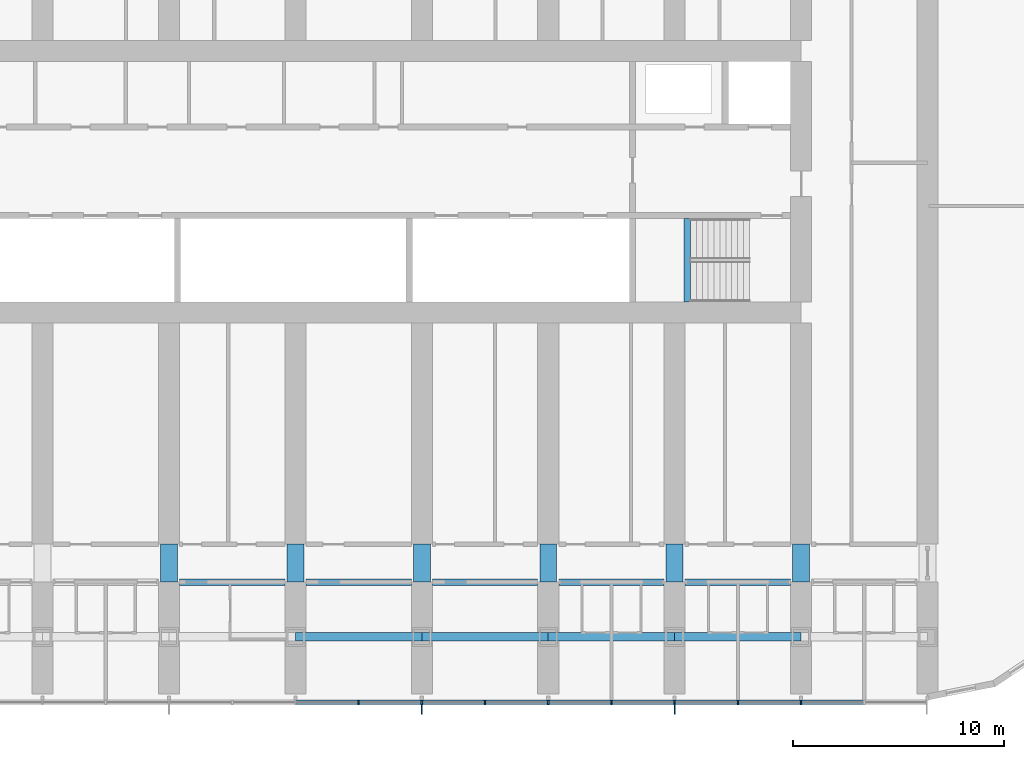
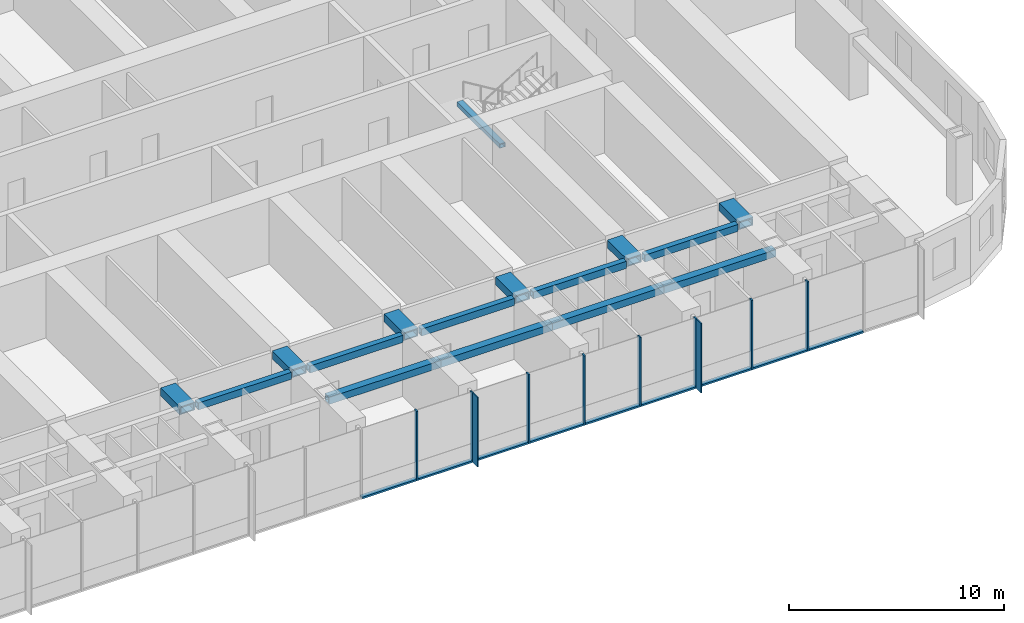
# One storey, part 5 of 28: 19 members, 16 beams, 1 element without a shape of its own.
"""IFC4 building model written with IfcOpenShell, lengths in metres."""

from ifc_helpers import new_model, si_unit, direction, frame, origin, origin_2d, place, context, subcontext, project, spatial, rectangle, hollow_rectangle, extrude, material, material_profile, profile_set, type_object, element, aggregate, save


model = new_model("IFC4")

# Units and contexts
model_context = context("Model", 3, precision=1e-05, world=origin(), true_north=direction((0.0, 1.0)))
body_context = subcontext(model_context, "Body", "Model", "MODEL_VIEW")
ifc_project = project(units=[si_unit("LENGTHUNIT", "METRE"), si_unit("AREAUNIT", "SQUARE_METRE"), si_unit("VOLUMEUNIT", "CUBIC_METRE"), si_unit("PLANEANGLEUNIT", "RADIAN"), si_unit("MASSUNIT", "GRAM", prefix="KILO")], contexts=[model_context])

# Site, building, storey
site_placement = place(None, origin())
site = spatial("IfcSite", under=ifc_project, at=site_placement, CompositionType="ELEMENT")
building_placement = place(site_placement, origin())
building = spatial("IfcBuilding", under=site, at=building_placement, Name="Orbita Commons", CompositionType="ELEMENT")
storey_placement = place(building_placement, frame((0.0, 0.0, 38.949951171875)))
storey = spatial("IfcBuildingStorey", under=building, at=storey_placement, Name="L09", CompositionType="ELEMENT", Elevation=38.949951171875)

# Curtain wall, members
ifc_material_1 = material(Name="Anodised aluminium frame, pale silver", Category="aluminium")
curtain_wall_type = type_object("IfcCurtainWallType", Name="Unitised curtain wall CW-T, vision and spandrel", PredefinedType="NOTDEFINED", material=ifc_material_1)
curtain_wall_placement = place(storey_placement, origin())
curtain_wall = element("IfcCurtainWall", 1, at=curtain_wall_placement, inside=storey, type_object=curtain_wall_type, Name="Curtain wall south L09", PredefinedType="NOTDEFINED")
ifc_material_2 = material(Name="Anodised aluminium, pale silver", Category="aluminium")
ifc_material_profile_1 = material_profile(ifc_material_2, rectangle(XDim=0.080078125, YDim=0.219970703125, at=origin_2d()), Name="AL 80x220")
ifc_profile_set_1 = profile_set([ifc_material_profile_1], Name="Anodised aluminium, pale silver")
member_type_1 = type_object("IfcMemberType", Name="Curtain wall mullion 80x220", PredefinedType="MULLION", material=ifc_profile_set_1)
member_1_placement = place(storey_placement, frame((45.0, 7.2900390625, -0.449951171875), z_axis=(0.0, 0.0, 1.0), x_axis=(1.0, 0.0, 0.0)))
member_1 = element("IfcMember", 2, at=member_1_placement, type_object=member_type_1, Name="Mullion 12 CW-L09-S", PredefinedType="MULLION", context=body_context, shape_type="SweptSolid", body=[
    extrude(rectangle(XDim=0.080078125, YDim=0.219970703125, at=origin_2d()), origin(), (0.0, 0.0, 1.0), 3.949951171875),
])
member_2_placement = place(storey_placement, frame((48.0, 7.2900390625, -0.449951171875), z_axis=(0.0, 0.0, 1.0), x_axis=(1.0, 0.0, 0.0)))
member_2 = element("IfcMember", 3, at=member_2_placement, type_object=member_type_1, Name="Mullion 13 CW-L09-S", PredefinedType="MULLION", context=body_context, shape_type="SweptSolid", body=[
    extrude(rectangle(XDim=0.080078125, YDim=0.219970703125, at=origin_2d()), origin(), (0.0, 0.0, 1.0), 3.949951171875),
])
member_3_placement = place(storey_placement, frame((51.0, 7.2900390625, -0.449951171875), z_axis=(0.0, 0.0, 1.0), x_axis=(1.0, 0.0, 0.0)))
member_3 = element("IfcMember", 4, at=member_3_placement, type_object=member_type_1, Name="Mullion 14 CW-L09-S", PredefinedType="MULLION", context=body_context, shape_type="SweptSolid", body=[
    extrude(rectangle(XDim=0.080078125, YDim=0.219970703125, at=origin_2d()), origin(), (0.0, 0.0, 1.0), 3.949951171875),
])
member_4_placement = place(storey_placement, frame((54.0, 7.2900390625, -0.449951171875), z_axis=(0.0, 0.0, 1.0), x_axis=(1.0, 0.0, 0.0)))
member_4 = element("IfcMember", 5, at=member_4_placement, type_object=member_type_1, Name="Mullion 15 CW-L09-S", PredefinedType="MULLION", context=body_context, shape_type="SweptSolid", body=[
    extrude(rectangle(XDim=0.080078125, YDim=0.219970703125, at=origin_2d()), origin(), (0.0, 0.0, 1.0), 3.949951171875),
])
member_5_placement = place(storey_placement, frame((57.0, 7.2900390625, -0.449951171875), z_axis=(0.0, 0.0, 1.0), x_axis=(1.0, 0.0, 0.0)))
member_5 = element("IfcMember", 6, at=member_5_placement, type_object=member_type_1, Name="Mullion 16 CW-L09-S", PredefinedType="MULLION", context=body_context, shape_type="SweptSolid", body=[
    extrude(rectangle(XDim=0.080078125, YDim=0.219970703125, at=origin_2d()), origin(), (0.0, 0.0, 1.0), 3.949951171875),
])
member_6_placement = place(storey_placement, frame((60.0, 7.2900390625, -0.449951171875), z_axis=(0.0, 0.0, 1.0), x_axis=(1.0, 0.0, 0.0)))
member_6 = element("IfcMember", 7, at=member_6_placement, type_object=member_type_1, Name="Mullion 17 CW-L09-S", PredefinedType="MULLION", context=body_context, shape_type="SweptSolid", body=[
    extrude(rectangle(XDim=0.080078125, YDim=0.219970703125, at=origin_2d()), origin(), (0.0, 0.0, 1.0), 3.949951171875),
])
member_7_placement = place(storey_placement, frame((63.0, 7.2900390625, -0.449951171875), z_axis=(0.0, 0.0, 1.0), x_axis=(1.0, 0.0, 0.0)))
member_7 = element("IfcMember", 8, at=member_7_placement, type_object=member_type_1, Name="Mullion 18 CW-L09-S", PredefinedType="MULLION", context=body_context, shape_type="SweptSolid", body=[
    extrude(rectangle(XDim=0.080078125, YDim=0.219970703125, at=origin_2d()), origin(), (0.0, 0.0, 1.0), 3.949951171875),
])
member_8_placement = place(storey_placement, frame((66.0, 7.2900390625, -0.449951171875), z_axis=(0.0, 0.0, 1.0), x_axis=(1.0, 0.0, 0.0)))
member_8 = element("IfcMember", 9, at=member_8_placement, type_object=member_type_1, Name="Mullion 19 CW-L09-S", PredefinedType="MULLION", context=body_context, shape_type="SweptSolid", body=[
    extrude(rectangle(XDim=0.080078125, YDim=0.219970703125, at=origin_2d()), origin(), (0.0, 0.0, 1.0), 3.949951171875),
])
ifc_material_3 = material(Name="Anodised aluminium, pale silver", Category="aluminium")
ifc_material_profile_2 = material_profile(ifc_material_3, rectangle(XDim=0.219970703125, YDim=0.10009765625, at=origin_2d()), Name="AL 220x100")
ifc_profile_set_2 = profile_set([ifc_material_profile_2], Name="Anodised aluminium, pale silver")
member_type_2 = type_object("IfcMemberType", Name="Curtain wall stack transom 220x100", PredefinedType="USERDEFINED", material=ifc_profile_set_2)
member_9_placement = place(storey_placement, frame((42.0400390625, 7.2900390625, -0.39990234375), z_axis=(1.0, 0.0, 0.0), x_axis=(0.0, 1.0, 0.0)))
member_9 = element("IfcMember", 10, at=member_9_placement, type_object=member_type_2, Name="Transom 11.1 CW-L09-S", ObjectType="TRANSOM", PredefinedType="USERDEFINED", context=body_context, shape_type="SweptSolid", body=[
    extrude(rectangle(XDim=0.219970703125, YDim=0.10009765625, at=origin_2d()), origin(), (0.0, 0.0, 1.0), 2.919921875),
])
member_10_placement = place(storey_placement, frame((45.0400390625, 7.2900390625, -0.39990234375), z_axis=(1.0, 0.0, 0.0), x_axis=(0.0, 1.0, 0.0)))
member_10 = element("IfcMember", 11, at=member_10_placement, type_object=member_type_2, Name="Transom 12.1 CW-L09-S", ObjectType="TRANSOM", PredefinedType="USERDEFINED", context=body_context, shape_type="SweptSolid", body=[
    extrude(rectangle(XDim=0.219970703125, YDim=0.10009765625, at=origin_2d()), origin(), (0.0, 0.0, 1.0), 2.919921875),
])
member_11_placement = place(storey_placement, frame((48.0400390625, 7.2900390625, -0.39990234375), z_axis=(1.0, 0.0, 0.0), x_axis=(0.0, 1.0, 0.0)))
member_11 = element("IfcMember", 12, at=member_11_placement, type_object=member_type_2, Name="Transom 13.1 CW-L09-S", ObjectType="TRANSOM", PredefinedType="USERDEFINED", context=body_context, shape_type="SweptSolid", body=[
    extrude(rectangle(XDim=0.219970703125, YDim=0.10009765625, at=origin_2d()), origin(), (0.0, 0.0, 1.0), 2.919921875),
])
member_12_placement = place(storey_placement, frame((51.0400390625, 7.2900390625, -0.39990234375), z_axis=(1.0, 0.0, 0.0), x_axis=(0.0, 1.0, 0.0)))
member_12 = element("IfcMember", 13, at=member_12_placement, type_object=member_type_2, Name="Transom 14.1 CW-L09-S", ObjectType="TRANSOM", PredefinedType="USERDEFINED", context=body_context, shape_type="SweptSolid", body=[
    extrude(rectangle(XDim=0.219970703125, YDim=0.10009765625, at=origin_2d()), origin(), (0.0, 0.0, 1.0), 2.919921875),
])
member_13_placement = place(storey_placement, frame((54.0400390625, 7.2900390625, -0.39990234375), z_axis=(1.0, 0.0, 0.0), x_axis=(0.0, 1.0, 0.0)))
member_13 = element("IfcMember", 14, at=member_13_placement, type_object=member_type_2, Name="Transom 15.1 CW-L09-S", ObjectType="TRANSOM", PredefinedType="USERDEFINED", context=body_context, shape_type="SweptSolid", body=[
    extrude(rectangle(XDim=0.219970703125, YDim=0.10009765625, at=origin_2d()), origin(), (0.0, 0.0, 1.0), 2.919921875),
])
member_14_placement = place(storey_placement, frame((57.0400390625, 7.2900390625, -0.39990234375), z_axis=(1.0, 0.0, 0.0), x_axis=(0.0, 1.0, 0.0)))
member_14 = element("IfcMember", 15, at=member_14_placement, type_object=member_type_2, Name="Transom 16.1 CW-L09-S", ObjectType="TRANSOM", PredefinedType="USERDEFINED", context=body_context, shape_type="SweptSolid", body=[
    extrude(rectangle(XDim=0.219970703125, YDim=0.10009765625, at=origin_2d()), origin(), (0.0, 0.0, 1.0), 2.919921875),
])
member_15_placement = place(storey_placement, frame((60.0400390625, 7.2900390625, -0.39990234375), z_axis=(1.0, 0.0, 0.0), x_axis=(0.0, 1.0, 0.0)))
member_15 = element("IfcMember", 16, at=member_15_placement, type_object=member_type_2, Name="Transom 17.1 CW-L09-S", ObjectType="TRANSOM", PredefinedType="USERDEFINED", context=body_context, shape_type="SweptSolid", body=[
    extrude(rectangle(XDim=0.219970703125, YDim=0.10009765625, at=origin_2d()), origin(), (0.0, 0.0, 1.0), 2.919921875),
])
member_16_placement = place(storey_placement, frame((63.0400390625, 7.2900390625, -0.39990234375), z_axis=(1.0, 0.0, 0.0), x_axis=(0.0, 1.0, 0.0)))
member_16 = element("IfcMember", 17, at=member_16_placement, type_object=member_type_2, Name="Transom 18.1 CW-L09-S", ObjectType="TRANSOM", PredefinedType="USERDEFINED", context=body_context, shape_type="SweptSolid", body=[
    extrude(rectangle(XDim=0.219970703125, YDim=0.10009765625, at=origin_2d()), origin(), (0.0, 0.0, 1.0), 2.919921875),
])
member_17_placement = place(storey_placement, frame((66.0400390625, 7.2900390625, -0.39990234375), z_axis=(1.0, 0.0, 0.0), x_axis=(0.0, 1.0, 0.0)))
member_17 = element("IfcMember", 18, at=member_17_placement, type_object=member_type_2, Name="Transom 19.1 CW-L09-S", ObjectType="TRANSOM", PredefinedType="USERDEFINED", context=body_context, shape_type="SweptSolid", body=[
    extrude(rectangle(XDim=0.219970703125, YDim=0.10009765625, at=origin_2d()), origin(), (0.0, 0.0, 1.0), 2.919921875),
])

# Beams
ifc_material_4 = material(Name="Steel ASTM A572 Gr 50 welded plate", Category="steel")
ifc_material_profile_3 = material_profile(ifc_material_4, hollow_rectangle(XDim=0.300048828125, YDim=0.25, WallThickness=0.02490234375, at=origin_2d()), Name="BOX 250x300x25")
ifc_profile_set_3 = profile_set([ifc_material_profile_3], Name="Steel ASTM A572 Gr 50 welded plate")
beam_type_1 = type_object("IfcBeamType", Name="Stair landing beam steel BOX 250x300x25", PredefinedType="BEAM", material=ifc_profile_set_3)
beam_placement = place(storey_placement, frame((60.60009765625, 26.284912109375, 1.550048828125), z_axis=(0.0, 1.0, 0.0), x_axis=(-1.0, 0.0, 0.0)))
element("IfcBeam", 19, at=beam_placement, inside=storey, type_object=beam_type_1, Name="Stair S2 landing beam L09 1", PredefinedType="BEAM", context=body_context, shape_type="SweptSolid", body=[
    extrude(hollow_rectangle(XDim=0.300048828125, YDim=0.25, WallThickness=0.02490234375, at=origin_2d()), origin(), (0.0, 0.0, 1.0), 3.97998046875),
])
ifc_material_5 = material(Name="Steel ASTM A572 Gr 50 welded plate", Category="steel")
ifc_material_profile_4 = material_profile(ifc_material_5, hollow_rectangle(XDim=0.300048828125, YDim=0.39990234375, WallThickness=0.0400390625, at=origin_2d()), Name="BOX 400x300x40")
ifc_profile_set_4 = profile_set([ifc_material_profile_4], Name="Steel ASTM A572 Gr 50 welded plate")
beam_type_2 = type_object("IfcBeamType", Name="Steel corridor link BOX 400x300x40", PredefinedType="BEAM", material=ifc_profile_set_4)
for number, where, z_axis, x_axis, name in (
    (20, (36.5, 13.0, 3.300048828125), (1.0, 0.0, 0.0), (0.0, 1.0, 0.0), "Corridor beam SA 7-8 L09"),
    (21, (42.5, 13.0, 3.300048828125), (1.0, 0.0, 0.0), (0.0, 1.0, 0.0), "Corridor beam SA 8-9 L09"),
    (22, (48.5, 13.0, 3.300048828125), (1.0, 0.0, 0.0), (0.0, 1.0, 0.0), "Corridor beam SA 9-10 L09"),
    (23, (54.5, 13.0, 3.300048828125), (1.0, 0.0, 0.0), (0.0, 1.0, 0.0), "Corridor beam SA 10-11 L09"),
    (24, (60.5, 13.0, 3.300048828125), (1.0, 0.0, 0.0), (0.0, 1.0, 0.0), "Corridor beam SA 11-12 L09"),
):
    element("IfcBeam", number, at=place(storey_placement, frame(where, z_axis=z_axis, x_axis=x_axis)), inside=storey, type_object=beam_type_2, Name=name, PredefinedType="BEAM", context=body_context, shape_type="SweptSolid", body=[
        extrude(hollow_rectangle(XDim=0.300048828125, YDim=0.39990234375, WallThickness=0.0400390625, at=origin_2d()), origin(), (0.0, 0.0, 1.0), 5.0),
    ])
ifc_material_6 = material(Name="Steel ASTM A572 Gr 50 welded plate", Category="steel")
ifc_material_profile_5 = material_profile(ifc_material_6, hollow_rectangle(XDim=0.800048828125, YDim=0.449951171875, WallThickness=0.06005859375, at=origin_2d()), Name="BOX 450x800x60")
ifc_profile_set_5 = profile_set([ifc_material_profile_5], Name="Steel ASTM A572 Gr 50 welded plate")
beam_type_3 = type_object("IfcBeamType", Name="Steel coupling link BOX 450x800x60", PredefinedType="LINTEL", material=ifc_profile_set_5)
for number, where, z_axis, x_axis, name in (
    (25, (36.0, 13.0, 3.275146484375), (0.0, 1.0, 0.0), (-1.0, 0.0, 0.0), "Coupling beam 7 south L09"),
    (26, (42.0, 13.0, 3.275146484375), (0.0, 1.0, 0.0), (-1.0, 0.0, 0.0), "Coupling beam 8 south L09"),
    (27, (48.0, 13.0, 3.275146484375), (0.0, 1.0, 0.0), (-1.0, 0.0, 0.0), "Coupling beam 9 south L09"),
    (28, (54.0, 13.0, 3.275146484375), (0.0, 1.0, 0.0), (-1.0, 0.0, 0.0), "Coupling beam 10 south L09"),
    (29, (60.0, 13.0, 3.275146484375), (0.0, 1.0, 0.0), (-1.0, 0.0, 0.0), "Coupling beam 11 south L09"),
    (30, (66.0, 13.0, 3.275146484375), (0.0, 1.0, 0.0), (-1.0, 0.0, 0.0), "Coupling beam 12 south L09"),
):
    element("IfcBeam", number, at=place(storey_placement, frame(where, z_axis=z_axis, x_axis=x_axis)), inside=storey, type_object=beam_type_3, Name=name, PredefinedType="LINTEL", context=body_context, shape_type="SweptSolid", body=[
        extrude(hollow_rectangle(XDim=0.800048828125, YDim=0.449951171875, WallThickness=0.06005859375, at=origin_2d()), origin(), (0.0, 0.0, 1.0), 1.800048828125),
    ])
ifc_material_7 = material(Name="Steel ASTM A572 Gr 50 welded plate", Category="steel")
ifc_material_profile_6 = material_profile(ifc_material_7, hollow_rectangle(XDim=0.39990234375, YDim=0.39990234375, WallThickness=0.0400390625, at=origin_2d()), Name="BOX 400x400x40")
ifc_profile_set_6 = profile_set([ifc_material_profile_6], Name="Steel ASTM A572 Gr 50 welded plate")
beam_type_4 = type_object("IfcBeamType", Name="Steel spandrel BOX 400x400x40", PredefinedType="SPANDREL", material=ifc_profile_set_6)
for number, where, z_axis, x_axis, name in (
    (31, (42.0, 10.39990234375, 3.300048828125), (1.0, 0.0, 0.0), (0.0, 1.0, 0.0), "Spandrel beam B 8-9 L09"),
    (32, (48.0, 10.39990234375, 3.300048828125), (1.0, 0.0, 0.0), (0.0, 1.0, 0.0), "Spandrel beam B 9-10 L09"),
    (33, (54.0, 10.39990234375, 3.300048828125), (1.0, 0.0, 0.0), (0.0, 1.0, 0.0), "Spandrel beam B 10-11 L09"),
    (34, (60.0, 10.39990234375, 3.300048828125), (1.0, 0.0, 0.0), (0.0, 1.0, 0.0), "Spandrel beam B 11-12 L09"),
):
    element("IfcBeam", number, at=place(storey_placement, frame(where, z_axis=z_axis, x_axis=x_axis)), inside=storey, type_object=beam_type_4, Name=name, PredefinedType="SPANDREL", context=body_context, shape_type="SweptSolid", body=[
        extrude(hollow_rectangle(XDim=0.39990234375, YDim=0.39990234375, WallThickness=0.0400390625, at=origin_2d()), origin(), (0.0, 0.0, 1.0), 6.0),
    ])

# Member
ifc_material_8 = material(Name="Anodised aluminium, pale silver", Category="aluminium")
ifc_material_profile_7 = material_profile(ifc_material_8, rectangle(XDim=0.06005859375, YDim=0.449951171875, at=origin_2d()), Name="FIN 60x450")
ifc_profile_set_7 = profile_set([ifc_material_profile_7], Name="Anodised aluminium, pale silver")
member_type_3 = type_object("IfcMemberType", Name="Vertical fin 60x450 pale aluminium", PredefinedType="USERDEFINED", material=ifc_profile_set_7)
member_18_placement = place(storey_placement, frame((48.0, 6.955078125, -0.449951171875), z_axis=(0.0, 0.0, 1.0), x_axis=(1.0, 0.0, 0.0)))
member_18 = element("IfcMember", 35, at=member_18_placement, type_object=member_type_3, Name="Fin 13 CW-L09-S", ObjectType="FIN", PredefinedType="USERDEFINED", context=body_context, shape_type="SweptSolid", body=[
    extrude(rectangle(XDim=0.06005859375, YDim=0.449951171875, at=origin_2d()), origin(), (0.0, 0.0, 1.0), 3.949951171875),
])

member_19_placement = place(storey_placement, frame((60.0, 6.955078125, -0.449951171875), z_axis=(0.0, 0.0, 1.0), x_axis=(1.0, 0.0, 0.0)))
member_19 = element("IfcMember", 36, at=member_19_placement, type_object=member_type_3, Name="Fin 17 CW-L09-S", ObjectType="FIN", PredefinedType="USERDEFINED", context=body_context, shape_type="SweptSolid", body=[
    extrude(rectangle(XDim=0.06005859375, YDim=0.449951171875, at=origin_2d()), origin(), (0.0, 0.0, 1.0), 3.949951171875),
])

aggregate(curtain_wall, [member_1, member_2, member_18, member_3, member_4, member_5, member_6, member_19, member_7, member_8, member_9, member_10, member_11, member_12, member_13, member_14, member_15, member_16, member_17])

save(model, "model.ifc")
